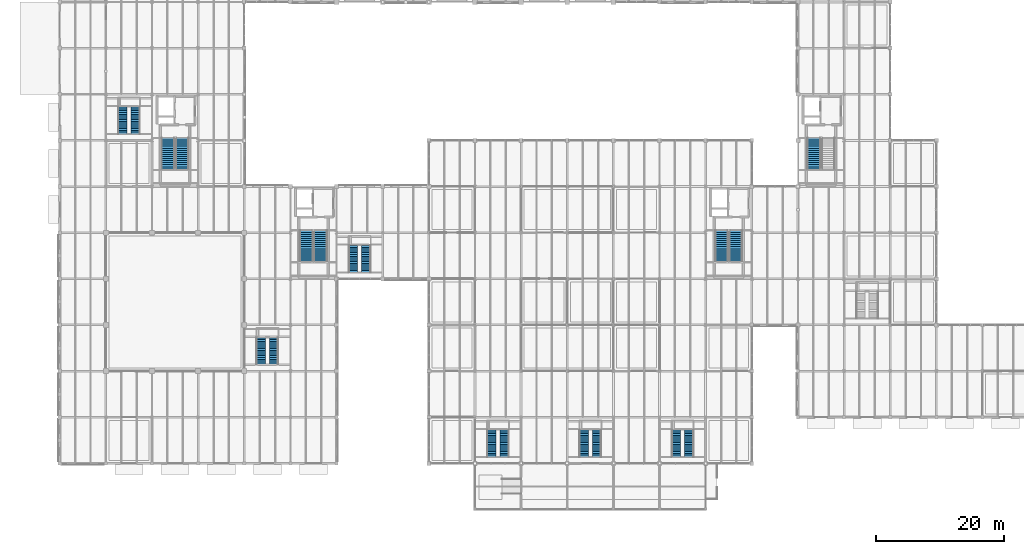
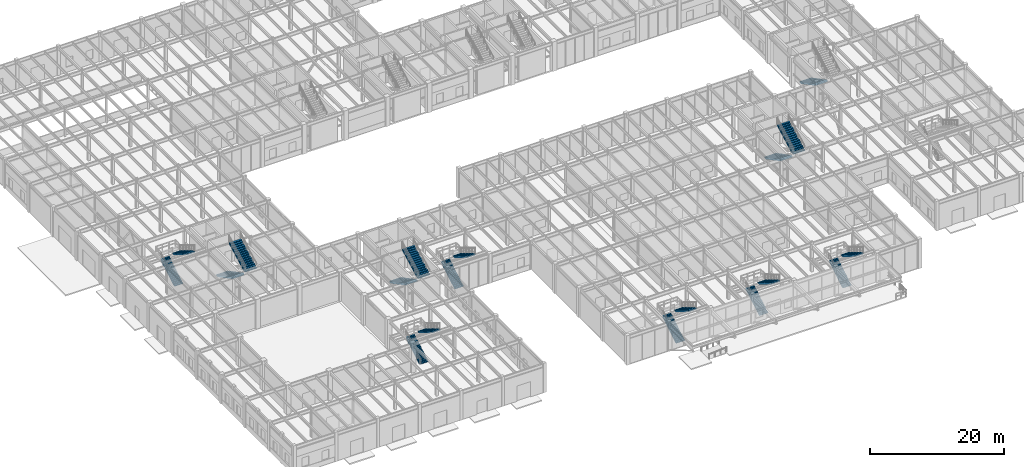
# One storey, part 46 of 97: 19 stair flights, 10 elements without a shape of their own.
"""IFC4 building model written with IfcOpenShell, lengths in metres."""

from ifc_helpers import new_model, si_unit, direction, frame, origin, place, context, subcontext, project, spatial, polyline, outline, extrude, material, type_object, element, aggregate, save


model = new_model("IFC4")

# Units and contexts
model_context = context("Model", 3, precision=1e-05, world=origin(), true_north=direction((0.0, 1.0)))
body_context = subcontext(model_context, "Body", "Model", "MODEL_VIEW")
ifc_project = project(units=[si_unit("LENGTHUNIT", "METRE"), si_unit("AREAUNIT", "SQUARE_METRE"), si_unit("VOLUMEUNIT", "CUBIC_METRE"), si_unit("PLANEANGLEUNIT", "RADIAN"), si_unit("MASSUNIT", "GRAM", prefix="KILO")], contexts=[model_context])

# Site, building, storey
site_placement = place(None, origin())
site = spatial("IfcSite", under=ifc_project, at=site_placement, CompositionType="ELEMENT")
building_placement = place(site_placement, origin())
building = spatial("IfcBuilding", under=site, at=building_placement, Name="Sillqori Civic Hall", CompositionType="ELEMENT")
storey_placement = place(building_placement, origin())
storey = spatial("IfcBuildingStorey", under=building, at=storey_placement, Name="L01", CompositionType="ELEMENT", Elevation=0.0)

# Stair, stair flights
ifc_material_1 = material(Name="Concrete C35/45 (H35)", Category="concrete")
stair_type_1 = type_object("IfcStairType", Name="STR-CORE-01", PredefinedType="DOUBLE_RETURN_STAIR", material=ifc_material_1)
stair_1_placement = place(storey_placement, origin())
stair_1 = element("IfcStair", 1, at=stair_1_placement, inside=storey, type_object=stair_type_1, Name="L01 Core exit stair ST-01", PredefinedType="DOUBLE_RETURN_STAIR")
stair_flight_type_1 = type_object("IfcStairFlightType", Name="SFL-CORE-220", PredefinedType="STRAIGHT", material=ifc_material_1)
stair_flight_1_placement = place(storey_placement, frame((45.68994140625, 43.570068359375, 0.0), z_axis=(0.0, 0.0, 1.0), x_axis=(0.0, -1.0, 0.0)))
stair_flight_1 = element("IfcStairFlight", 2, at=stair_flight_1_placement, type_object=stair_flight_type_1, Name="ST-01 flight 1", NumberOfRisers=16, NumberOfTreads=15, PredefinedType="STRAIGHT", RiserHeight=0.16875, TreadLength=0.32, context=body_context, shape_type="SweptSolid", body=[
    extrude(outline(polyline([(0.0, 0.0), (0.0, 0.168701171875), (0.320068359375, 0.168701171875), (0.320068359375, 0.33740234375), (0.639892578125, 0.33740234375), (0.639892578125, 0.50634765625), (0.9599609375, 0.50634765625), (0.9599609375, 0.675048828125), (1.280029296875, 0.675048828125), (1.280029296875, 0.84375), (1.60009765625, 0.84375), (1.60009765625, 1.012451171875), (1.919921875, 1.012451171875), (1.919921875, 1.18115234375), (2.239990234375, 1.18115234375), (2.239990234375, 1.35009765625), (2.56005859375, 1.35009765625), (2.56005859375, 1.518798828125), (2.8798828125, 1.518798828125), (2.8798828125, 1.6875), (3.199951171875, 1.6875), (3.199951171875, 1.856201171875), (3.52001953125, 1.856201171875), (3.52001953125, 2.02490234375), (3.840087890625, 2.02490234375), (3.840087890625, 2.19384765625), (4.159912109375, 2.19384765625), (4.159912109375, 2.362548828125), (4.47998046875, 2.362548828125), (4.47998046875, 2.53125), (4.800048828125, 2.53125), (4.800048828125, 2.699951171875), (4.800048828125, 2.282470703125), (0.4716796875, 0.0), (0.0, 0.0)])), frame((0.0, 1.030029296875, 0.0), z_axis=(0.0, -1.0, 0.0), x_axis=(1.0, 0.0, 0.0)), (0.0, 0.0, 1.0), 2.06005859375),
])
stair_flight_2_placement = place(storey_placement, frame((47.909912109375, 38.77001953125, 2.699951171875), z_axis=(0.0, 0.0, 1.0), x_axis=(0.0, 1.0, 0.0)))
stair_flight_2 = element("IfcStairFlight", 3, at=stair_flight_2_placement, type_object=stair_flight_type_1, Name="ST-01 flight 2", NumberOfRisers=16, NumberOfTreads=15, PredefinedType="STRAIGHT", RiserHeight=0.16875, TreadLength=0.32, context=body_context, shape_type="SweptSolid", body=[
    extrude(outline(polyline([(0.0, 0.0), (0.0, 0.168701171875), (0.320068359375, 0.168701171875), (0.320068359375, 0.33740234375), (0.639892578125, 0.33740234375), (0.639892578125, 0.50634765625), (0.9599609375, 0.50634765625), (0.9599609375, 0.675048828125), (1.280029296875, 0.675048828125), (1.280029296875, 0.84375), (1.60009765625, 0.84375), (1.60009765625, 1.012451171875), (1.919921875, 1.012451171875), (1.919921875, 1.18115234375), (2.239990234375, 1.18115234375), (2.239990234375, 1.35009765625), (2.56005859375, 1.35009765625), (2.56005859375, 1.518798828125), (2.8798828125, 1.518798828125), (2.8798828125, 1.6875), (3.199951171875, 1.6875), (3.199951171875, 1.856201171875), (3.52001953125, 1.856201171875), (3.52001953125, 2.02490234375), (3.840087890625, 2.02490234375), (3.840087890625, 2.19384765625), (4.159912109375, 2.19384765625), (4.159912109375, 2.362548828125), (4.47998046875, 2.362548828125), (4.47998046875, 2.53125), (4.800048828125, 2.53125), (4.800048828125, 2.699951171875), (4.800048828125, 2.282470703125), (0.4716796875, 0.0), (0.0, 0.0)])), frame((0.0, 1.030029296875, 0.0), z_axis=(0.0, -1.0, 0.0), x_axis=(1.0, 0.0, 0.0)), (0.0, 0.0, 1.0), 2.06005859375),
])
aggregate(stair_1, [stair_flight_1, stair_flight_2])

# Stair, stair flight
stair_type_2 = type_object("IfcStairType", Name="STR-CORE-02", PredefinedType="DOUBLE_RETURN_STAIR", material=ifc_material_1)
stair_2_placement = place(storey_placement, origin())
stair_2 = element("IfcStair", 4, at=stair_2_placement, inside=storey, type_object=stair_type_2, Name="L01 Core exit stair ST-02", PredefinedType="DOUBLE_RETURN_STAIR")
stair_flight_3_placement = place(storey_placement, frame((124.889892578125, 57.969970703125, 0.0), z_axis=(0.0, 0.0, 1.0), x_axis=(0.0, -1.0, 0.0)))
stair_flight_3 = element("IfcStairFlight", 5, at=stair_flight_3_placement, type_object=stair_flight_type_1, Name="ST-02 flight 1", NumberOfRisers=16, NumberOfTreads=15, PredefinedType="STRAIGHT", RiserHeight=0.16875, TreadLength=0.32, context=body_context, shape_type="SweptSolid", body=[
    extrude(outline(polyline([(0.0, 0.0), (0.0, 0.168701171875), (0.320068359375, 0.168701171875), (0.320068359375, 0.33740234375), (0.639892578125, 0.33740234375), (0.639892578125, 0.50634765625), (0.9599609375, 0.50634765625), (0.9599609375, 0.675048828125), (1.280029296875, 0.675048828125), (1.280029296875, 0.84375), (1.60009765625, 0.84375), (1.60009765625, 1.012451171875), (1.919921875, 1.012451171875), (1.919921875, 1.18115234375), (2.239990234375, 1.18115234375), (2.239990234375, 1.35009765625), (2.56005859375, 1.35009765625), (2.56005859375, 1.518798828125), (2.8798828125, 1.518798828125), (2.8798828125, 1.6875), (3.199951171875, 1.6875), (3.199951171875, 1.856201171875), (3.52001953125, 1.856201171875), (3.52001953125, 2.02490234375), (3.840087890625, 2.02490234375), (3.840087890625, 2.19384765625), (4.159912109375, 2.19384765625), (4.159912109375, 2.362548828125), (4.47998046875, 2.362548828125), (4.47998046875, 2.53125), (4.800048828125, 2.53125), (4.800048828125, 2.699951171875), (4.800048828125, 2.282470703125), (0.4716796875, 0.0), (0.0, 0.0)])), frame((0.0, 1.030029296875, 0.0), z_axis=(0.0, -1.0, 0.0), x_axis=(1.0, 0.0, 0.0)), (0.0, 0.0, 1.0), 2.06005859375),
])
aggregate(stair_2, [stair_flight_3])

# Stair, stair flights
stair_type_3 = type_object("IfcStairType", Name="STR-CORE-03", PredefinedType="DOUBLE_RETURN_STAIR", material=ifc_material_1)
stair_3_placement = place(storey_placement, origin())
stair_3 = element("IfcStair", 6, at=stair_3_placement, inside=storey, type_object=stair_type_3, Name="L01 Core exit stair ST-03", PredefinedType="DOUBLE_RETURN_STAIR")
stair_flight_4_placement = place(storey_placement, frame((110.489990234375, 43.570068359375, 0.0), z_axis=(0.0, 0.0, 1.0), x_axis=(0.0, -1.0, 0.0)))
stair_flight_4 = element("IfcStairFlight", 7, at=stair_flight_4_placement, type_object=stair_flight_type_1, Name="ST-03 flight 1", NumberOfRisers=16, NumberOfTreads=15, PredefinedType="STRAIGHT", RiserHeight=0.16875, TreadLength=0.32, context=body_context, shape_type="SweptSolid", body=[
    extrude(outline(polyline([(0.0, 0.0), (0.0, 0.168701171875), (0.320068359375, 0.168701171875), (0.320068359375, 0.33740234375), (0.639892578125, 0.33740234375), (0.639892578125, 0.50634765625), (0.9599609375, 0.50634765625), (0.9599609375, 0.675048828125), (1.280029296875, 0.675048828125), (1.280029296875, 0.84375), (1.60009765625, 0.84375), (1.60009765625, 1.012451171875), (1.919921875, 1.012451171875), (1.919921875, 1.18115234375), (2.239990234375, 1.18115234375), (2.239990234375, 1.35009765625), (2.56005859375, 1.35009765625), (2.56005859375, 1.518798828125), (2.8798828125, 1.518798828125), (2.8798828125, 1.6875), (3.199951171875, 1.6875), (3.199951171875, 1.856201171875), (3.52001953125, 1.856201171875), (3.52001953125, 2.02490234375), (3.840087890625, 2.02490234375), (3.840087890625, 2.19384765625), (4.159912109375, 2.19384765625), (4.159912109375, 2.362548828125), (4.47998046875, 2.362548828125), (4.47998046875, 2.53125), (4.800048828125, 2.53125), (4.800048828125, 2.699951171875), (4.800048828125, 2.282470703125), (0.4716796875, 0.0), (0.0, 0.0)])), frame((0.0, 1.030029296875, 0.0), z_axis=(0.0, -1.0, 0.0), x_axis=(1.0, 0.0, 0.0)), (0.0, 0.0, 1.0), 2.06005859375),
])
stair_flight_5_placement = place(storey_placement, frame((112.7099609375, 38.77001953125, 2.699951171875), z_axis=(0.0, 0.0, 1.0), x_axis=(0.0, 1.0, 0.0)))
stair_flight_5 = element("IfcStairFlight", 8, at=stair_flight_5_placement, type_object=stair_flight_type_1, Name="ST-03 flight 2", NumberOfRisers=16, NumberOfTreads=15, PredefinedType="STRAIGHT", RiserHeight=0.16875, TreadLength=0.32, context=body_context, shape_type="SweptSolid", body=[
    extrude(outline(polyline([(0.0, 0.0), (0.0, 0.168701171875), (0.320068359375, 0.168701171875), (0.320068359375, 0.33740234375), (0.639892578125, 0.33740234375), (0.639892578125, 0.50634765625), (0.9599609375, 0.50634765625), (0.9599609375, 0.675048828125), (1.280029296875, 0.675048828125), (1.280029296875, 0.84375), (1.60009765625, 0.84375), (1.60009765625, 1.012451171875), (1.919921875, 1.012451171875), (1.919921875, 1.18115234375), (2.239990234375, 1.18115234375), (2.239990234375, 1.35009765625), (2.56005859375, 1.35009765625), (2.56005859375, 1.518798828125), (2.8798828125, 1.518798828125), (2.8798828125, 1.6875), (3.199951171875, 1.6875), (3.199951171875, 1.856201171875), (3.52001953125, 1.856201171875), (3.52001953125, 2.02490234375), (3.840087890625, 2.02490234375), (3.840087890625, 2.19384765625), (4.159912109375, 2.19384765625), (4.159912109375, 2.362548828125), (4.47998046875, 2.362548828125), (4.47998046875, 2.53125), (4.800048828125, 2.53125), (4.800048828125, 2.699951171875), (4.800048828125, 2.282470703125), (0.4716796875, 0.0), (0.0, 0.0)])), frame((0.0, 1.030029296875, 0.0), z_axis=(0.0, -1.0, 0.0), x_axis=(1.0, 0.0, 0.0)), (0.0, 0.0, 1.0), 2.06005859375),
])
aggregate(stair_3, [stair_flight_4, stair_flight_5])

stair_type_4 = type_object("IfcStairType", Name="STR-CORE-04", PredefinedType="DOUBLE_RETURN_STAIR", material=ifc_material_1)
stair_4_placement = place(storey_placement, origin())
stair_4 = element("IfcStair", 9, at=stair_4_placement, inside=storey, type_object=stair_type_4, Name="L01 Core exit stair ST-04", PredefinedType="DOUBLE_RETURN_STAIR")
stair_flight_6_placement = place(storey_placement, frame((24.090087890625, 57.969970703125, 0.0), z_axis=(0.0, 0.0, 1.0), x_axis=(0.0, -1.0, 0.0)))
stair_flight_6 = element("IfcStairFlight", 10, at=stair_flight_6_placement, type_object=stair_flight_type_1, Name="ST-04 flight 1", NumberOfRisers=16, NumberOfTreads=15, PredefinedType="STRAIGHT", RiserHeight=0.16875, TreadLength=0.32, context=body_context, shape_type="SweptSolid", body=[
    extrude(outline(polyline([(0.0, 0.0), (0.0, 0.168701171875), (0.320068359375, 0.168701171875), (0.320068359375, 0.33740234375), (0.639892578125, 0.33740234375), (0.639892578125, 0.50634765625), (0.9599609375, 0.50634765625), (0.9599609375, 0.675048828125), (1.280029296875, 0.675048828125), (1.280029296875, 0.84375), (1.60009765625, 0.84375), (1.60009765625, 1.012451171875), (1.919921875, 1.012451171875), (1.919921875, 1.18115234375), (2.239990234375, 1.18115234375), (2.239990234375, 1.35009765625), (2.56005859375, 1.35009765625), (2.56005859375, 1.518798828125), (2.8798828125, 1.518798828125), (2.8798828125, 1.6875), (3.199951171875, 1.6875), (3.199951171875, 1.856201171875), (3.52001953125, 1.856201171875), (3.52001953125, 2.02490234375), (3.840087890625, 2.02490234375), (3.840087890625, 2.19384765625), (4.159912109375, 2.19384765625), (4.159912109375, 2.362548828125), (4.47998046875, 2.362548828125), (4.47998046875, 2.53125), (4.800048828125, 2.53125), (4.800048828125, 2.699951171875), (4.800048828125, 2.282470703125), (0.4716796875, 0.0), (0.0, 0.0)])), frame((0.0, 1.030029296875, 0.0), z_axis=(0.0, -1.0, 0.0), x_axis=(1.0, 0.0, 0.0)), (0.0, 0.0, 1.0), 2.06005859375),
])
stair_flight_7_placement = place(storey_placement, frame((26.31005859375, 53.169921875, 2.699951171875), z_axis=(0.0, 0.0, 1.0), x_axis=(0.0, 1.0, 0.0)))
stair_flight_7 = element("IfcStairFlight", 11, at=stair_flight_7_placement, type_object=stair_flight_type_1, Name="ST-04 flight 2", NumberOfRisers=16, NumberOfTreads=15, PredefinedType="STRAIGHT", RiserHeight=0.16875, TreadLength=0.32, context=body_context, shape_type="SweptSolid", body=[
    extrude(outline(polyline([(0.0, 0.0), (0.0, 0.168701171875), (0.320068359375, 0.168701171875), (0.320068359375, 0.33740234375), (0.639892578125, 0.33740234375), (0.639892578125, 0.50634765625), (0.9599609375, 0.50634765625), (0.9599609375, 0.675048828125), (1.280029296875, 0.675048828125), (1.280029296875, 0.84375), (1.60009765625, 0.84375), (1.60009765625, 1.012451171875), (1.919921875, 1.012451171875), (1.919921875, 1.18115234375), (2.239990234375, 1.18115234375), (2.239990234375, 1.35009765625), (2.56005859375, 1.35009765625), (2.56005859375, 1.518798828125), (2.8798828125, 1.518798828125), (2.8798828125, 1.6875), (3.199951171875, 1.6875), (3.199951171875, 1.856201171875), (3.52001953125, 1.856201171875), (3.52001953125, 2.02490234375), (3.840087890625, 2.02490234375), (3.840087890625, 2.19384765625), (4.159912109375, 2.19384765625), (4.159912109375, 2.362548828125), (4.47998046875, 2.362548828125), (4.47998046875, 2.53125), (4.800048828125, 2.53125), (4.800048828125, 2.699951171875), (4.800048828125, 2.282470703125), (0.4716796875, 0.0), (0.0, 0.0)])), frame((0.0, 1.030029296875, 0.0), z_axis=(0.0, -1.0, 0.0), x_axis=(1.0, 0.0, 0.0)), (0.0, 0.0, 1.0), 2.06005859375),
])
aggregate(stair_4, [stair_flight_6, stair_flight_7])

ifc_material_2 = material(Name="Steel ASTM A992 and Honed Limestone Treads", Category="masonry")
stair_type_5 = type_object("IfcStairType", Name="STR-MON-540", PredefinedType="STRAIGHT_RUN_STAIR", material=ifc_material_2)
stair_5_placement = place(storey_placement, origin())
stair_5 = element("IfcStair", 12, at=stair_5_placement, inside=storey, type_object=stair_type_5, Name="Wedge Hall South-West Grand Stair L01-L02", PredefinedType="STRAIGHT_RUN_STAIR")
stair_flight_type_2 = type_object("IfcStairFlightType", Name="SFL-MON-165", PredefinedType="STRAIGHT", material=ifc_material_1)
stair_flight_8_placement = place(storey_placement, frame((74.56494140625, 8.199951171875, 0.0), z_axis=(0.0, 0.0, 1.0), x_axis=(0.0, 1.0, 0.0)))
stair_flight_8 = element("IfcStairFlight", 13, at=stair_flight_8_placement, type_object=stair_flight_type_2, Name="MS-01 flight 1", NumberOfRisers=16, NumberOfTreads=15, PredefinedType="STRAIGHT", RiserHeight=0.16875, TreadLength=0.28, context=body_context, shape_type="SweptSolid", body=[
    extrude(outline(polyline([(0.0, 0.0), (0.0, 0.168701171875), (0.280029296875, 0.168701171875), (0.280029296875, 0.33740234375), (0.56005859375, 0.33740234375), (0.56005859375, 0.50634765625), (0.840087890625, 0.50634765625), (0.840087890625, 0.675048828125), (1.1201171875, 0.675048828125), (1.1201171875, 0.84375), (1.39990234375, 0.84375), (1.39990234375, 1.012451171875), (1.679931640625, 1.012451171875), (1.679931640625, 1.18115234375), (1.9599609375, 1.18115234375), (1.9599609375, 1.35009765625), (2.239990234375, 1.35009765625), (2.239990234375, 1.518798828125), (2.52001953125, 1.518798828125), (2.52001953125, 1.6875), (2.800048828125, 1.6875), (2.800048828125, 1.856201171875), (3.080078125, 1.856201171875), (3.080078125, 2.02490234375), (3.360107421875, 2.02490234375), (3.360107421875, 2.19384765625), (3.639892578125, 2.19384765625), (3.639892578125, 2.362548828125), (3.919921875, 2.362548828125), (3.919921875, 2.53125), (4.199951171875, 2.53125), (4.199951171875, 2.699951171875), (4.199951171875, 2.2978515625), (0.387451171875, 0.0), (0.0, 0.0)])), frame((0.0, 0.72509765625, 0.0), z_axis=(0.0, -1.0, 0.0), x_axis=(1.0, 0.0, 0.0)), (0.0, 0.0, 1.0), 1.449951171875),
])
stair_flight_9_placement = place(storey_placement, frame((76.635009765625, 12.39990234375, 2.699951171875), z_axis=(0.0, 0.0, 1.0), x_axis=(0.0, -1.0, 0.0)))
stair_flight_9 = element("IfcStairFlight", 14, at=stair_flight_9_placement, type_object=stair_flight_type_2, Name="MS-01 flight 2", NumberOfRisers=16, NumberOfTreads=15, PredefinedType="STRAIGHT", RiserHeight=0.16875, TreadLength=0.28, context=body_context, shape_type="SweptSolid", body=[
    extrude(outline(polyline([(0.0, 0.0), (0.0, 0.168701171875), (0.280029296875, 0.168701171875), (0.280029296875, 0.33740234375), (0.56005859375, 0.33740234375), (0.56005859375, 0.50634765625), (0.840087890625, 0.50634765625), (0.840087890625, 0.675048828125), (1.1201171875, 0.675048828125), (1.1201171875, 0.84375), (1.39990234375, 0.84375), (1.39990234375, 1.012451171875), (1.679931640625, 1.012451171875), (1.679931640625, 1.18115234375), (1.9599609375, 1.18115234375), (1.9599609375, 1.35009765625), (2.239990234375, 1.35009765625), (2.239990234375, 1.518798828125), (2.52001953125, 1.518798828125), (2.52001953125, 1.6875), (2.800048828125, 1.6875), (2.800048828125, 1.856201171875), (3.080078125, 1.856201171875), (3.080078125, 2.02490234375), (3.360107421875, 2.02490234375), (3.360107421875, 2.19384765625), (3.639892578125, 2.19384765625), (3.639892578125, 2.362548828125), (3.919921875, 2.362548828125), (3.919921875, 2.53125), (4.199951171875, 2.53125), (4.199951171875, 2.699951171875), (4.199951171875, 2.2978515625), (0.387451171875, 0.0), (0.0, 0.0)])), frame((0.0, 0.72509765625, 0.0), z_axis=(0.0, -1.0, 0.0), x_axis=(1.0, 0.0, 0.0)), (0.0, 0.0, 1.0), 1.449951171875),
])
aggregate(stair_5, [stair_flight_8, stair_flight_9])

stair_6_placement = place(storey_placement, origin())
stair_6 = element("IfcStair", 15, at=stair_6_placement, inside=storey, type_object=stair_type_5, Name="Wedge Hall South-East Grand Stair L01-L02", PredefinedType="STRAIGHT_RUN_STAIR")
stair_flight_10_placement = place(storey_placement, frame((103.364990234375, 8.199951171875, 0.0), z_axis=(0.0, 0.0, 1.0), x_axis=(0.0, 1.0, 0.0)))
stair_flight_10 = element("IfcStairFlight", 16, at=stair_flight_10_placement, type_object=stair_flight_type_2, Name="MS-04 flight 1", NumberOfRisers=16, NumberOfTreads=15, PredefinedType="STRAIGHT", RiserHeight=0.16875, TreadLength=0.28, context=body_context, shape_type="SweptSolid", body=[
    extrude(outline(polyline([(0.0, 0.0), (0.0, 0.168701171875), (0.280029296875, 0.168701171875), (0.280029296875, 0.33740234375), (0.56005859375, 0.33740234375), (0.56005859375, 0.50634765625), (0.840087890625, 0.50634765625), (0.840087890625, 0.675048828125), (1.1201171875, 0.675048828125), (1.1201171875, 0.84375), (1.39990234375, 0.84375), (1.39990234375, 1.012451171875), (1.679931640625, 1.012451171875), (1.679931640625, 1.18115234375), (1.9599609375, 1.18115234375), (1.9599609375, 1.35009765625), (2.239990234375, 1.35009765625), (2.239990234375, 1.518798828125), (2.52001953125, 1.518798828125), (2.52001953125, 1.6875), (2.800048828125, 1.6875), (2.800048828125, 1.856201171875), (3.080078125, 1.856201171875), (3.080078125, 2.02490234375), (3.360107421875, 2.02490234375), (3.360107421875, 2.19384765625), (3.639892578125, 2.19384765625), (3.639892578125, 2.362548828125), (3.919921875, 2.362548828125), (3.919921875, 2.53125), (4.199951171875, 2.53125), (4.199951171875, 2.699951171875), (4.199951171875, 2.2978515625), (0.387451171875, 0.0), (0.0, 0.0)])), frame((0.0, 0.72509765625, 0.0), z_axis=(0.0, -1.0, 0.0), x_axis=(1.0, 0.0, 0.0)), (0.0, 0.0, 1.0), 1.449951171875),
])
stair_flight_11_placement = place(storey_placement, frame((105.43505859375, 12.39990234375, 2.699951171875), z_axis=(0.0, 0.0, 1.0), x_axis=(0.0, -1.0, 0.0)))
stair_flight_11 = element("IfcStairFlight", 17, at=stair_flight_11_placement, type_object=stair_flight_type_2, Name="MS-04 flight 2", NumberOfRisers=16, NumberOfTreads=15, PredefinedType="STRAIGHT", RiserHeight=0.16875, TreadLength=0.28, context=body_context, shape_type="SweptSolid", body=[
    extrude(outline(polyline([(0.0, 0.0), (0.0, 0.168701171875), (0.280029296875, 0.168701171875), (0.280029296875, 0.33740234375), (0.56005859375, 0.33740234375), (0.56005859375, 0.50634765625), (0.840087890625, 0.50634765625), (0.840087890625, 0.675048828125), (1.1201171875, 0.675048828125), (1.1201171875, 0.84375), (1.39990234375, 0.84375), (1.39990234375, 1.012451171875), (1.679931640625, 1.012451171875), (1.679931640625, 1.18115234375), (1.9599609375, 1.18115234375), (1.9599609375, 1.35009765625), (2.239990234375, 1.35009765625), (2.239990234375, 1.518798828125), (2.52001953125, 1.518798828125), (2.52001953125, 1.6875), (2.800048828125, 1.6875), (2.800048828125, 1.856201171875), (3.080078125, 1.856201171875), (3.080078125, 2.02490234375), (3.360107421875, 2.02490234375), (3.360107421875, 2.19384765625), (3.639892578125, 2.19384765625), (3.639892578125, 2.362548828125), (3.919921875, 2.362548828125), (3.919921875, 2.53125), (4.199951171875, 2.53125), (4.199951171875, 2.699951171875), (4.199951171875, 2.2978515625), (0.387451171875, 0.0), (0.0, 0.0)])), frame((0.0, 0.72509765625, 0.0), z_axis=(0.0, -1.0, 0.0), x_axis=(1.0, 0.0, 0.0)), (0.0, 0.0, 1.0), 1.449951171875),
])
aggregate(stair_6, [stair_flight_10, stair_flight_11])

stair_7_placement = place(storey_placement, origin())
stair_7 = element("IfcStair", 18, at=stair_7_placement, inside=storey, type_object=stair_type_5, Name="Citizens Service Central Stair L01-L02", PredefinedType="STRAIGHT_RUN_STAIR")
stair_flight_12_placement = place(storey_placement, frame((88.965087890625, 8.199951171875, 0.0), z_axis=(0.0, 0.0, 1.0), x_axis=(0.0, 1.0, 0.0)))
stair_flight_12 = element("IfcStairFlight", 19, at=stair_flight_12_placement, type_object=stair_flight_type_2, Name="MS-07 flight 1", NumberOfRisers=16, NumberOfTreads=15, PredefinedType="STRAIGHT", RiserHeight=0.16875, TreadLength=0.28, context=body_context, shape_type="SweptSolid", body=[
    extrude(outline(polyline([(0.0, 0.0), (0.0, 0.168701171875), (0.280029296875, 0.168701171875), (0.280029296875, 0.33740234375), (0.56005859375, 0.33740234375), (0.56005859375, 0.50634765625), (0.840087890625, 0.50634765625), (0.840087890625, 0.675048828125), (1.1201171875, 0.675048828125), (1.1201171875, 0.84375), (1.39990234375, 0.84375), (1.39990234375, 1.012451171875), (1.679931640625, 1.012451171875), (1.679931640625, 1.18115234375), (1.9599609375, 1.18115234375), (1.9599609375, 1.35009765625), (2.239990234375, 1.35009765625), (2.239990234375, 1.518798828125), (2.52001953125, 1.518798828125), (2.52001953125, 1.6875), (2.800048828125, 1.6875), (2.800048828125, 1.856201171875), (3.080078125, 1.856201171875), (3.080078125, 2.02490234375), (3.360107421875, 2.02490234375), (3.360107421875, 2.19384765625), (3.639892578125, 2.19384765625), (3.639892578125, 2.362548828125), (3.919921875, 2.362548828125), (3.919921875, 2.53125), (4.199951171875, 2.53125), (4.199951171875, 2.699951171875), (4.199951171875, 2.2978515625), (0.387451171875, 0.0), (0.0, 0.0)])), frame((0.0, 0.72509765625, 0.0), z_axis=(0.0, -1.0, 0.0), x_axis=(1.0, 0.0, 0.0)), (0.0, 0.0, 1.0), 1.449951171875),
])
stair_flight_13_placement = place(storey_placement, frame((91.034912109375, 12.39990234375, 2.699951171875), z_axis=(0.0, 0.0, 1.0), x_axis=(0.0, -1.0, 0.0)))
stair_flight_13 = element("IfcStairFlight", 20, at=stair_flight_13_placement, type_object=stair_flight_type_2, Name="MS-07 flight 2", NumberOfRisers=16, NumberOfTreads=15, PredefinedType="STRAIGHT", RiserHeight=0.16875, TreadLength=0.28, context=body_context, shape_type="SweptSolid", body=[
    extrude(outline(polyline([(0.0, 0.0), (0.0, 0.168701171875), (0.280029296875, 0.168701171875), (0.280029296875, 0.33740234375), (0.56005859375, 0.33740234375), (0.56005859375, 0.50634765625), (0.840087890625, 0.50634765625), (0.840087890625, 0.675048828125), (1.1201171875, 0.675048828125), (1.1201171875, 0.84375), (1.39990234375, 0.84375), (1.39990234375, 1.012451171875), (1.679931640625, 1.012451171875), (1.679931640625, 1.18115234375), (1.9599609375, 1.18115234375), (1.9599609375, 1.35009765625), (2.239990234375, 1.35009765625), (2.239990234375, 1.518798828125), (2.52001953125, 1.518798828125), (2.52001953125, 1.6875), (2.800048828125, 1.6875), (2.800048828125, 1.856201171875), (3.080078125, 1.856201171875), (3.080078125, 2.02490234375), (3.360107421875, 2.02490234375), (3.360107421875, 2.19384765625), (3.639892578125, 2.19384765625), (3.639892578125, 2.362548828125), (3.919921875, 2.362548828125), (3.919921875, 2.53125), (4.199951171875, 2.53125), (4.199951171875, 2.699951171875), (4.199951171875, 2.2978515625), (0.387451171875, 0.0), (0.0, 0.0)])), frame((0.0, 0.72509765625, 0.0), z_axis=(0.0, -1.0, 0.0), x_axis=(1.0, 0.0, 0.0)), (0.0, 0.0, 1.0), 1.449951171875),
])
aggregate(stair_7, [stair_flight_12, stair_flight_13])

stair_8_placement = place(storey_placement, origin())
stair_8 = element("IfcStair", 21, at=stair_8_placement, inside=storey, type_object=stair_type_5, Name="Council Foyer Ceremonial Stair L01-L02", PredefinedType="STRAIGHT_RUN_STAIR")
stair_flight_14_placement = place(storey_placement, frame((38.56494140625, 22.60009765625, 0.0), z_axis=(0.0, 0.0, 1.0), x_axis=(0.0, 1.0, 0.0)))
stair_flight_14 = element("IfcStairFlight", 22, at=stair_flight_14_placement, type_object=stair_flight_type_2, Name="MS-09 flight 1", NumberOfRisers=16, NumberOfTreads=15, PredefinedType="STRAIGHT", RiserHeight=0.16875, TreadLength=0.28, context=body_context, shape_type="SweptSolid", body=[
    extrude(outline(polyline([(0.0, 0.0), (0.0, 0.168701171875), (0.280029296875, 0.168701171875), (0.280029296875, 0.33740234375), (0.56005859375, 0.33740234375), (0.56005859375, 0.50634765625), (0.840087890625, 0.50634765625), (0.840087890625, 0.675048828125), (1.1201171875, 0.675048828125), (1.1201171875, 0.84375), (1.39990234375, 0.84375), (1.39990234375, 1.012451171875), (1.679931640625, 1.012451171875), (1.679931640625, 1.18115234375), (1.9599609375, 1.18115234375), (1.9599609375, 1.35009765625), (2.239990234375, 1.35009765625), (2.239990234375, 1.518798828125), (2.52001953125, 1.518798828125), (2.52001953125, 1.6875), (2.800048828125, 1.6875), (2.800048828125, 1.856201171875), (3.080078125, 1.856201171875), (3.080078125, 2.02490234375), (3.360107421875, 2.02490234375), (3.360107421875, 2.19384765625), (3.639892578125, 2.19384765625), (3.639892578125, 2.362548828125), (3.919921875, 2.362548828125), (3.919921875, 2.53125), (4.199951171875, 2.53125), (4.199951171875, 2.699951171875), (4.199951171875, 2.2978515625), (0.387451171875, 0.0), (0.0, 0.0)])), frame((0.0, 0.72509765625, 0.0), z_axis=(0.0, -1.0, 0.0), x_axis=(1.0, 0.0, 0.0)), (0.0, 0.0, 1.0), 1.449951171875),
])
stair_flight_15_placement = place(storey_placement, frame((40.635009765625, 26.800048828125, 2.699951171875), z_axis=(0.0, 0.0, 1.0), x_axis=(0.0, -1.0, 0.0)))
stair_flight_15 = element("IfcStairFlight", 23, at=stair_flight_15_placement, type_object=stair_flight_type_2, Name="MS-09 flight 2", NumberOfRisers=16, NumberOfTreads=15, PredefinedType="STRAIGHT", RiserHeight=0.16875, TreadLength=0.28, context=body_context, shape_type="SweptSolid", body=[
    extrude(outline(polyline([(0.0, 0.0), (0.0, 0.168701171875), (0.280029296875, 0.168701171875), (0.280029296875, 0.33740234375), (0.56005859375, 0.33740234375), (0.56005859375, 0.50634765625), (0.840087890625, 0.50634765625), (0.840087890625, 0.675048828125), (1.1201171875, 0.675048828125), (1.1201171875, 0.84375), (1.39990234375, 0.84375), (1.39990234375, 1.012451171875), (1.679931640625, 1.012451171875), (1.679931640625, 1.18115234375), (1.9599609375, 1.18115234375), (1.9599609375, 1.35009765625), (2.239990234375, 1.35009765625), (2.239990234375, 1.518798828125), (2.52001953125, 1.518798828125), (2.52001953125, 1.6875), (2.800048828125, 1.6875), (2.800048828125, 1.856201171875), (3.080078125, 1.856201171875), (3.080078125, 2.02490234375), (3.360107421875, 2.02490234375), (3.360107421875, 2.19384765625), (3.639892578125, 2.19384765625), (3.639892578125, 2.362548828125), (3.919921875, 2.362548828125), (3.919921875, 2.53125), (4.199951171875, 2.53125), (4.199951171875, 2.699951171875), (4.199951171875, 2.2978515625), (0.387451171875, 0.0), (0.0, 0.0)])), frame((0.0, 0.72509765625, 0.0), z_axis=(0.0, -1.0, 0.0), x_axis=(1.0, 0.0, 0.0)), (0.0, 0.0, 1.0), 1.449951171875),
])
aggregate(stair_8, [stair_flight_14, stair_flight_15])

stair_9_placement = place(storey_placement, origin())
stair_9 = element("IfcStair", 24, at=stair_9_placement, inside=storey, type_object=stair_type_5, Name="Council Link Concourse Stair L01-L02", PredefinedType="STRAIGHT_RUN_STAIR")
stair_flight_16_placement = place(storey_placement, frame((52.965087890625, 37.0, 0.0), z_axis=(0.0, 0.0, 1.0), x_axis=(0.0, 1.0, 0.0)))
stair_flight_16 = element("IfcStairFlight", 25, at=stair_flight_16_placement, type_object=stair_flight_type_2, Name="MS-11 flight 1", NumberOfRisers=16, NumberOfTreads=15, PredefinedType="STRAIGHT", RiserHeight=0.16875, TreadLength=0.28, context=body_context, shape_type="SweptSolid", body=[
    extrude(outline(polyline([(0.0, 0.0), (0.0, 0.168701171875), (0.280029296875, 0.168701171875), (0.280029296875, 0.33740234375), (0.56005859375, 0.33740234375), (0.56005859375, 0.50634765625), (0.840087890625, 0.50634765625), (0.840087890625, 0.675048828125), (1.1201171875, 0.675048828125), (1.1201171875, 0.84375), (1.39990234375, 0.84375), (1.39990234375, 1.012451171875), (1.679931640625, 1.012451171875), (1.679931640625, 1.18115234375), (1.9599609375, 1.18115234375), (1.9599609375, 1.35009765625), (2.239990234375, 1.35009765625), (2.239990234375, 1.518798828125), (2.52001953125, 1.518798828125), (2.52001953125, 1.6875), (2.800048828125, 1.6875), (2.800048828125, 1.856201171875), (3.080078125, 1.856201171875), (3.080078125, 2.02490234375), (3.360107421875, 2.02490234375), (3.360107421875, 2.19384765625), (3.639892578125, 2.19384765625), (3.639892578125, 2.362548828125), (3.919921875, 2.362548828125), (3.919921875, 2.53125), (4.199951171875, 2.53125), (4.199951171875, 2.699951171875), (4.199951171875, 2.2978515625), (0.387451171875, 0.0), (0.0, 0.0)])), frame((0.0, 0.72509765625, 0.0), z_axis=(0.0, -1.0, 0.0), x_axis=(1.0, 0.0, 0.0)), (0.0, 0.0, 1.0), 1.449951171875),
])
stair_flight_17_placement = place(storey_placement, frame((55.034912109375, 41.199951171875, 2.699951171875), z_axis=(0.0, 0.0, 1.0), x_axis=(0.0, -1.0, 0.0)))
stair_flight_17 = element("IfcStairFlight", 26, at=stair_flight_17_placement, type_object=stair_flight_type_2, Name="MS-11 flight 2", NumberOfRisers=16, NumberOfTreads=15, PredefinedType="STRAIGHT", RiserHeight=0.16875, TreadLength=0.28, context=body_context, shape_type="SweptSolid", body=[
    extrude(outline(polyline([(0.0, 0.0), (0.0, 0.168701171875), (0.280029296875, 0.168701171875), (0.280029296875, 0.33740234375), (0.56005859375, 0.33740234375), (0.56005859375, 0.50634765625), (0.840087890625, 0.50634765625), (0.840087890625, 0.675048828125), (1.1201171875, 0.675048828125), (1.1201171875, 0.84375), (1.39990234375, 0.84375), (1.39990234375, 1.012451171875), (1.679931640625, 1.012451171875), (1.679931640625, 1.18115234375), (1.9599609375, 1.18115234375), (1.9599609375, 1.35009765625), (2.239990234375, 1.35009765625), (2.239990234375, 1.518798828125), (2.52001953125, 1.518798828125), (2.52001953125, 1.6875), (2.800048828125, 1.6875), (2.800048828125, 1.856201171875), (3.080078125, 1.856201171875), (3.080078125, 2.02490234375), (3.360107421875, 2.02490234375), (3.360107421875, 2.19384765625), (3.639892578125, 2.19384765625), (3.639892578125, 2.362548828125), (3.919921875, 2.362548828125), (3.919921875, 2.53125), (4.199951171875, 2.53125), (4.199951171875, 2.699951171875), (4.199951171875, 2.2978515625), (0.387451171875, 0.0), (0.0, 0.0)])), frame((0.0, 0.72509765625, 0.0), z_axis=(0.0, -1.0, 0.0), x_axis=(1.0, 0.0, 0.0)), (0.0, 0.0, 1.0), 1.449951171875),
])
aggregate(stair_9, [stair_flight_16, stair_flight_17])

stair_10_placement = place(storey_placement, origin())
stair_10 = element("IfcStair", 27, at=stair_10_placement, inside=storey, type_object=stair_type_5, Name="West Committee Concourse Stair L01-L02", PredefinedType="STRAIGHT_RUN_STAIR")
stair_flight_18_placement = place(storey_placement, frame((16.965087890625, 58.60009765625, 0.0), z_axis=(0.0, 0.0, 1.0), x_axis=(0.0, 1.0, 0.0)))
stair_flight_18 = element("IfcStairFlight", 28, at=stair_flight_18_placement, type_object=stair_flight_type_2, Name="MS-13 flight 1", NumberOfRisers=16, NumberOfTreads=15, PredefinedType="STRAIGHT", RiserHeight=0.16875, TreadLength=0.28, context=body_context, shape_type="SweptSolid", body=[
    extrude(outline(polyline([(0.0, 0.0), (0.0, 0.168701171875), (0.280029296875, 0.168701171875), (0.280029296875, 0.33740234375), (0.56005859375, 0.33740234375), (0.56005859375, 0.50634765625), (0.840087890625, 0.50634765625), (0.840087890625, 0.675048828125), (1.1201171875, 0.675048828125), (1.1201171875, 0.84375), (1.39990234375, 0.84375), (1.39990234375, 1.012451171875), (1.679931640625, 1.012451171875), (1.679931640625, 1.18115234375), (1.9599609375, 1.18115234375), (1.9599609375, 1.35009765625), (2.239990234375, 1.35009765625), (2.239990234375, 1.518798828125), (2.52001953125, 1.518798828125), (2.52001953125, 1.6875), (2.800048828125, 1.6875), (2.800048828125, 1.856201171875), (3.080078125, 1.856201171875), (3.080078125, 2.02490234375), (3.360107421875, 2.02490234375), (3.360107421875, 2.19384765625), (3.639892578125, 2.19384765625), (3.639892578125, 2.362548828125), (3.919921875, 2.362548828125), (3.919921875, 2.53125), (4.199951171875, 2.53125), (4.199951171875, 2.699951171875), (4.199951171875, 2.2978515625), (0.387451171875, 0.0), (0.0, 0.0)])), frame((0.0, 0.72509765625, 0.0), z_axis=(0.0, -1.0, 0.0), x_axis=(1.0, 0.0, 0.0)), (0.0, 0.0, 1.0), 1.449951171875),
])
stair_flight_19_placement = place(storey_placement, frame((19.034912109375, 62.800048828125, 2.699951171875), z_axis=(0.0, 0.0, 1.0), x_axis=(0.0, -1.0, 0.0)))
stair_flight_19 = element("IfcStairFlight", 29, at=stair_flight_19_placement, type_object=stair_flight_type_2, Name="MS-13 flight 2", NumberOfRisers=16, NumberOfTreads=15, PredefinedType="STRAIGHT", RiserHeight=0.16875, TreadLength=0.28, context=body_context, shape_type="SweptSolid", body=[
    extrude(outline(polyline([(0.0, 0.0), (0.0, 0.168701171875), (0.280029296875, 0.168701171875), (0.280029296875, 0.33740234375), (0.56005859375, 0.33740234375), (0.56005859375, 0.50634765625), (0.840087890625, 0.50634765625), (0.840087890625, 0.675048828125), (1.1201171875, 0.675048828125), (1.1201171875, 0.84375), (1.39990234375, 0.84375), (1.39990234375, 1.012451171875), (1.679931640625, 1.012451171875), (1.679931640625, 1.18115234375), (1.9599609375, 1.18115234375), (1.9599609375, 1.35009765625), (2.239990234375, 1.35009765625), (2.239990234375, 1.518798828125), (2.52001953125, 1.518798828125), (2.52001953125, 1.6875), (2.800048828125, 1.6875), (2.800048828125, 1.856201171875), (3.080078125, 1.856201171875), (3.080078125, 2.02490234375), (3.360107421875, 2.02490234375), (3.360107421875, 2.19384765625), (3.639892578125, 2.19384765625), (3.639892578125, 2.362548828125), (3.919921875, 2.362548828125), (3.919921875, 2.53125), (4.199951171875, 2.53125), (4.199951171875, 2.699951171875), (4.199951171875, 2.2978515625), (0.387451171875, 0.0), (0.0, 0.0)])), frame((0.0, 0.72509765625, 0.0), z_axis=(0.0, -1.0, 0.0), x_axis=(1.0, 0.0, 0.0)), (0.0, 0.0, 1.0), 1.449951171875),
])
aggregate(stair_10, [stair_flight_18, stair_flight_19])

save(model, "model.ifc")
